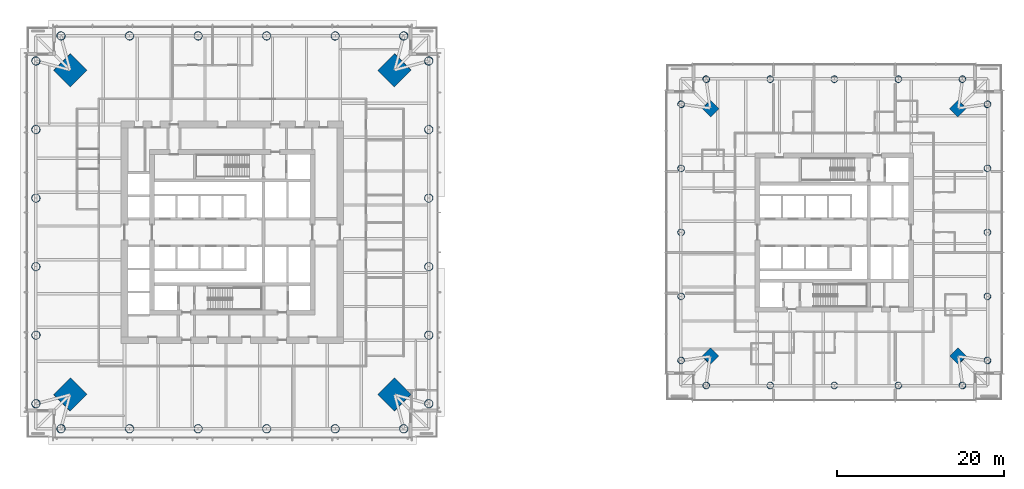
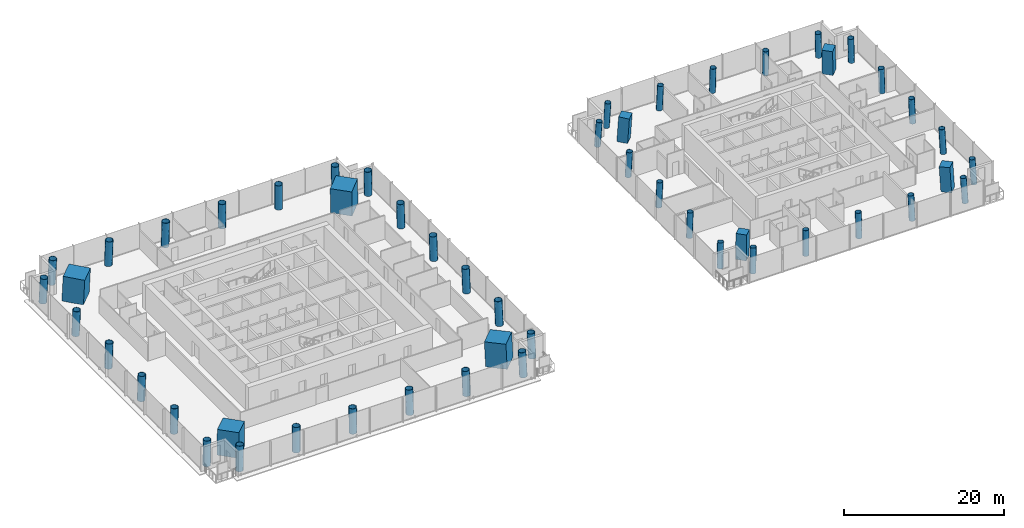
# One storey, part 1 of 26: 52 columns.
"""IFC4 building model written with IfcOpenShell, lengths in metres."""

from ifc_helpers import new_model, si_unit, direction, frame, origin, origin_2d, place, context, subcontext, project, spatial, rectangle, hollow_circle, extrude, material, material_profile, profile_set, type_object, element, save


model = new_model("IFC4")

# Units and contexts
model_context = context("Model", 3, precision=1e-05, world=origin(), true_north=direction((0.0, 1.0)))
body_context = subcontext(model_context, "Body", "Model", "MODEL_VIEW")
ifc_project = project(units=[si_unit("LENGTHUNIT", "METRE"), si_unit("AREAUNIT", "SQUARE_METRE"), si_unit("VOLUMEUNIT", "CUBIC_METRE"), si_unit("PLANEANGLEUNIT", "RADIAN"), si_unit("MASSUNIT", "GRAM", prefix="KILO")], contexts=[model_context])

# Site, building, storey
site_placement = place(None, origin())
site = spatial("IfcSite", under=ifc_project, at=site_placement, CompositionType="ELEMENT")
building_placement = place(site_placement, origin())
building = spatial("IfcBuilding", under=site, at=building_placement, Name="Ostroluk Exchange", CompositionType="ELEMENT")
storey_placement = place(building_placement, frame((0.0, 0.0, 36.199951171875)))
storey = spatial("IfcBuildingStorey", under=building, at=storey_placement, Name="L08", CompositionType="ELEMENT", Elevation=36.199951171875)

# Columns
ifc_material_1 = material(Name="Concrete C50/60", Category="concrete")
ifc_material_profile_1 = material_profile(ifc_material_1, rectangle(XDim=1.39990234375, YDim=1.39990234375, at=origin_2d()), Name="RC 1400x1400")
ifc_profile_set_1 = profile_set([ifc_material_profile_1], Name="Concrete C50/60")
column_type_1 = type_object("IfcColumnType", Name="Mega column RC 1400x1400", PredefinedType="COLUMN", material=ifc_profile_set_1)
for number, where, z_axis, x_axis, name in (
    (1, (131.8447265625, 60.8447265625, 0.0), (-0.042965756413, -0.042965756413, 0.998152236661), (0.707106781187, -0.707106781187, 0.0), "T2 mega column NE"),
    (2, (102.1552734375, 60.8447265625, 0.0), (0.042965756413, -0.042965756413, 0.998152236661), (0.707106781187, 0.707106781187, 0.0), "T2 mega column NW"),
    (3, (102.1552734375, 31.1552734375, 0.0), (0.042965756413, 0.042965756413, 0.998152236661), (-0.707106781187, 0.707106781187, 0.0), "T2 mega column SW"),
    (4, (131.8447265625, 31.1552734375, 0.0), (-0.042965756413, 0.042965756413, 0.998152236661), (-0.707106781187, -0.707106781187, 0.0), "T2 mega column SE"),
):
    element("IfcColumn", number, at=place(storey_placement, frame(where, z_axis=z_axis, x_axis=x_axis)), inside=storey, type_object=column_type_1, Name=name, PredefinedType="COLUMN", context=body_context, shape_type="SweptSolid", body=[
        extrude(rectangle(XDim=1.39990234375, YDim=1.39990234375, at=origin_2d()), origin(), (0.0, 0.0, 1.0), 3.80712890625),
    ])
ifc_material_2 = material(Name="Concrete C50/60", Category="concrete")
ifc_material_profile_2 = material_profile(ifc_material_2, rectangle(XDim=2.800048828125, YDim=2.800048828125, at=origin_2d()), Name="RC 2800x2800")
ifc_profile_set_2 = profile_set([ifc_material_profile_2], Name="Concrete C50/60")
column_type_2 = type_object("IfcColumnType", Name="Mega column RC 2800x2800", PredefinedType="COLUMN", material=ifc_profile_set_2)
for number, where, z_axis, x_axis, name in (
    (5, (64.414306640625, 65.414306640625, 0.0), (-0.031898107953, -0.031898107953, 0.998981992539), (0.707106781187, -0.707106781187, 0.0), "T1 mega column NE"),
    (6, (25.585693359375, 65.414306640625, 0.0), (0.031898107953, -0.031898107953, 0.998981992539), (0.707106781187, 0.707106781187, 0.0), "T1 mega column NW"),
    (7, (25.585693359375, 26.585693359375, 0.0), (0.031898107953, 0.031898107953, 0.998981992539), (-0.707106781187, 0.707106781187, 0.0), "T1 mega column SW"),
    (8, (64.414306640625, 26.585693359375, 0.0), (-0.031898107953, 0.031898107953, 0.998981992539), (-0.707106781187, -0.707106781187, 0.0), "T1 mega column SE"),
):
    element("IfcColumn", number, at=place(storey_placement, frame(where, z_axis=z_axis, x_axis=x_axis)), inside=storey, type_object=column_type_2, Name=name, PredefinedType="COLUMN", context=body_context, shape_type="SweptSolid", body=[
        extrude(rectangle(XDim=2.800048828125, YDim=2.800048828125, at=origin_2d()), origin(), (0.0, 0.0, 1.0), 3.803955078125),
    ])
ifc_material_3 = material(Name="Steel S460", Category="steel")
ifc_material_profile_3 = material_profile(ifc_material_3, hollow_circle(Radius=0.508056640625, WallThickness=0.0400390625, at=origin_2d()), Name="CHS 1016x40")
ifc_profile_set_3 = profile_set([ifc_material_profile_3], Name="Steel S460")
column_type_3 = type_object("IfcColumnType", Name="Perimeter column CHS 1016x40", PredefinedType="COLUMN", material=ifc_profile_set_3)
for number, where, z_axis, x_axis, name in (
    (9, (68.514404296875, 25.485595703125, 0.0), (-0.031962158256, 0.031962158256, 0.998977898093), (-0.707106781187, -0.707106781187, 0.0), "T1 east face column E0"),
    (10, (68.514404296875, 66.514404296875, 0.0), (-0.031962158256, -0.031962158256, 0.998977898093), (0.707106781187, -0.707106781187, 0.0), "T1 east face column E1"),
):
    element("IfcColumn", number, at=place(storey_placement, frame(where, z_axis=z_axis, x_axis=x_axis)), inside=storey, type_object=column_type_3, Name=name, PredefinedType="COLUMN", context=body_context, shape_type="SweptSolid", body=[
        extrude(hollow_circle(Radius=0.508056640625, WallThickness=0.0400390625, at=origin_2d()), origin(), (0.0, 0.0, 1.0), 3.803955078125),
    ])
column_1_placement = place(storey_placement, frame((68.514404296875, 33.69140625, 0.0), z_axis=(-0.031972604108, 0.019196402868, 0.999304383411), x_axis=(-0.514748904804, -0.857340985258, 0.0)))
element("IfcColumn", 11, at=column_1_placement, inside=storey, type_object=column_type_3, Name="T1 east face column I1", PredefinedType="COLUMN", context=body_context, shape_type="SweptSolid", body=[
    extrude(hollow_circle(Radius=0.508056640625, WallThickness=0.0400390625, at=origin_2d()), origin(), (0.0, 0.0, 1.0), 3.802734375),
])
for number, where, z_axis, x_axis, name in (
    (12, (68.514404296875, 41.897216796875, 0.0), (-0.031977850555, 0.00635704258, 0.999468361222), (-0.194979757801, -0.980807266515, 0.0), "T1 east face column I2"),
    (13, (68.514404296875, 50.102783203125, 0.0), (-0.031977850555, -0.00635704258, 0.999468361222), (0.194979757801, -0.980807266515, 0.0), "T1 east face column I3"),
):
    element("IfcColumn", number, at=place(storey_placement, frame(where, z_axis=z_axis, x_axis=x_axis)), inside=storey, type_object=column_type_3, Name=name, PredefinedType="COLUMN", context=body_context, shape_type="SweptSolid", body=[
        extrude(hollow_circle(Radius=0.508056640625, WallThickness=0.0400390625, at=origin_2d()), origin(), (0.0, 0.0, 1.0), 3.802001953125),
    ])
column_2_placement = place(storey_placement, frame((68.514404296875, 58.30859375, 0.0), z_axis=(-0.031972604108, -0.019196402868, 0.999304383411), x_axis=(0.514748904804, -0.857340985258, 0.0)))
element("IfcColumn", 14, at=column_2_placement, inside=storey, type_object=column_type_3, Name="T1 east face column I4", PredefinedType="COLUMN", context=body_context, shape_type="SweptSolid", body=[
    extrude(hollow_circle(Radius=0.508056640625, WallThickness=0.0400390625, at=origin_2d()), origin(), (0.0, 0.0, 1.0), 3.802734375),
])
for number, where, z_axis, x_axis, name in (
    (15, (65.514404296875, 69.514404296875, 0.0), (-0.031962158256, -0.031962158256, 0.998977898093), (0.707106781187, -0.707106781187, 0.0), "T1 north face column E0"),
    (16, (24.485595703125, 69.514404296875, 0.0), (0.031962158256, -0.031962158256, 0.998977898093), (0.707106781187, 0.707106781187, 0.0), "T1 north face column E1"),
):
    element("IfcColumn", number, at=place(storey_placement, frame(where, z_axis=z_axis, x_axis=x_axis)), inside=storey, type_object=column_type_3, Name=name, PredefinedType="COLUMN", context=body_context, shape_type="SweptSolid", body=[
        extrude(hollow_circle(Radius=0.508056640625, WallThickness=0.0400390625, at=origin_2d()), origin(), (0.0, 0.0, 1.0), 3.803955078125),
    ])
column_3_placement = place(storey_placement, frame((57.30859375, 69.514404296875, 0.0), z_axis=(-0.019196402868, -0.031972604108, 0.999304383411), x_axis=(0.857340985258, -0.514748904804, 0.0)))
element("IfcColumn", 17, at=column_3_placement, inside=storey, type_object=column_type_3, Name="T1 north face column I1", PredefinedType="COLUMN", context=body_context, shape_type="SweptSolid", body=[
    extrude(hollow_circle(Radius=0.508056640625, WallThickness=0.0400390625, at=origin_2d()), origin(), (0.0, 0.0, 1.0), 3.802734375),
])
for number, where, z_axis, x_axis, name in (
    (18, (49.102783203125, 69.514404296875, 0.0), (-0.00635704258, -0.031977850555, 0.999468361222), (0.980807266515, -0.194979757801, 0.0), "T1 north face column I2"),
    (19, (40.897216796875, 69.514404296875, 0.0), (0.00635704258, -0.031977850555, 0.999468361222), (0.980807266515, 0.194979757801, 0.0), "T1 north face column I3"),
):
    element("IfcColumn", number, at=place(storey_placement, frame(where, z_axis=z_axis, x_axis=x_axis)), inside=storey, type_object=column_type_3, Name=name, PredefinedType="COLUMN", context=body_context, shape_type="SweptSolid", body=[
        extrude(hollow_circle(Radius=0.508056640625, WallThickness=0.0400390625, at=origin_2d()), origin(), (0.0, 0.0, 1.0), 3.802001953125),
    ])
column_4_placement = place(storey_placement, frame((32.69140625, 69.514404296875, 0.0), z_axis=(0.019196402868, -0.031972604108, 0.999304383411), x_axis=(0.857340985258, 0.514748904804, 0.0)))
element("IfcColumn", 20, at=column_4_placement, inside=storey, type_object=column_type_3, Name="T1 north face column I4", PredefinedType="COLUMN", context=body_context, shape_type="SweptSolid", body=[
    extrude(hollow_circle(Radius=0.508056640625, WallThickness=0.0400390625, at=origin_2d()), origin(), (0.0, 0.0, 1.0), 3.802734375),
])
for number, where, z_axis, x_axis, name in (
    (21, (21.485595703125, 66.514404296875, 0.0), (0.031962158256, -0.031962158256, 0.998977898093), (0.707106781187, 0.707106781187, 0.0), "T1 west face column E0"),
    (22, (21.485595703125, 25.485595703125, 0.0), (0.031962158256, 0.031962158256, 0.998977898093), (-0.707106781187, 0.707106781187, 0.0), "T1 west face column E1"),
):
    element("IfcColumn", number, at=place(storey_placement, frame(where, z_axis=z_axis, x_axis=x_axis)), inside=storey, type_object=column_type_3, Name=name, PredefinedType="COLUMN", context=body_context, shape_type="SweptSolid", body=[
        extrude(hollow_circle(Radius=0.508056640625, WallThickness=0.0400390625, at=origin_2d()), origin(), (0.0, 0.0, 1.0), 3.803955078125),
    ])
column_5_placement = place(storey_placement, frame((21.485595703125, 58.30859375, 0.0), z_axis=(0.031972604108, -0.019196402868, 0.999304383411), x_axis=(0.514748904804, 0.857340985258, 0.0)))
element("IfcColumn", 23, at=column_5_placement, inside=storey, type_object=column_type_3, Name="T1 west face column I1", PredefinedType="COLUMN", context=body_context, shape_type="SweptSolid", body=[
    extrude(hollow_circle(Radius=0.508056640625, WallThickness=0.0400390625, at=origin_2d()), origin(), (0.0, 0.0, 1.0), 3.802734375),
])
for number, where, z_axis, x_axis, name in (
    (24, (21.485595703125, 50.102783203125, 0.0), (0.031977850555, -0.00635704258, 0.999468361222), (0.194979757801, 0.980807266515, 0.0), "T1 west face column I2"),
    (25, (21.485595703125, 41.897216796875, 0.0), (0.031977850555, 0.00635704258, 0.999468361222), (-0.194979757801, 0.980807266515, 0.0), "T1 west face column I3"),
):
    element("IfcColumn", number, at=place(storey_placement, frame(where, z_axis=z_axis, x_axis=x_axis)), inside=storey, type_object=column_type_3, Name=name, PredefinedType="COLUMN", context=body_context, shape_type="SweptSolid", body=[
        extrude(hollow_circle(Radius=0.508056640625, WallThickness=0.0400390625, at=origin_2d()), origin(), (0.0, 0.0, 1.0), 3.802001953125),
    ])
column_6_placement = place(storey_placement, frame((21.485595703125, 33.69140625, 0.0), z_axis=(0.031972604108, 0.019196402868, 0.999304383411), x_axis=(-0.514748904804, 0.857340985258, 0.0)))
element("IfcColumn", 26, at=column_6_placement, inside=storey, type_object=column_type_3, Name="T1 west face column I4", PredefinedType="COLUMN", context=body_context, shape_type="SweptSolid", body=[
    extrude(hollow_circle(Radius=0.508056640625, WallThickness=0.0400390625, at=origin_2d()), origin(), (0.0, 0.0, 1.0), 3.802734375),
])
for number, where, z_axis, x_axis, name in (
    (27, (24.485595703125, 22.485595703125, 0.0), (0.031962158256, 0.031962158256, 0.998977898093), (-0.707106781187, 0.707106781187, 0.0), "T1 south face column E0"),
    (28, (65.514404296875, 22.485595703125, 0.0), (-0.031962158256, 0.031962158256, 0.998977898093), (-0.707106781187, -0.707106781187, 0.0), "T1 south face column E1"),
):
    element("IfcColumn", number, at=place(storey_placement, frame(where, z_axis=z_axis, x_axis=x_axis)), inside=storey, type_object=column_type_3, Name=name, PredefinedType="COLUMN", context=body_context, shape_type="SweptSolid", body=[
        extrude(hollow_circle(Radius=0.508056640625, WallThickness=0.0400390625, at=origin_2d()), origin(), (0.0, 0.0, 1.0), 3.803955078125),
    ])
column_7_placement = place(storey_placement, frame((32.69140625, 22.485595703125, 0.0), z_axis=(0.019196402868, 0.031972604108, 0.999304383411), x_axis=(-0.857340985258, 0.514748904804, 0.0)))
element("IfcColumn", 29, at=column_7_placement, inside=storey, type_object=column_type_3, Name="T1 south face column I1", PredefinedType="COLUMN", context=body_context, shape_type="SweptSolid", body=[
    extrude(hollow_circle(Radius=0.508056640625, WallThickness=0.0400390625, at=origin_2d()), origin(), (0.0, 0.0, 1.0), 3.802734375),
])
for number, where, z_axis, x_axis, name in (
    (30, (40.897216796875, 22.485595703125, 0.0), (0.00635704258, 0.031977850555, 0.999468361222), (-0.980807266515, 0.194979757801, 0.0), "T1 south face column I2"),
    (31, (49.102783203125, 22.485595703125, 0.0), (-0.00635704258, 0.031977850555, 0.999468361222), (-0.980807266515, -0.194979757801, 0.0), "T1 south face column I3"),
):
    element("IfcColumn", number, at=place(storey_placement, frame(where, z_axis=z_axis, x_axis=x_axis)), inside=storey, type_object=column_type_3, Name=name, PredefinedType="COLUMN", context=body_context, shape_type="SweptSolid", body=[
        extrude(hollow_circle(Radius=0.508056640625, WallThickness=0.0400390625, at=origin_2d()), origin(), (0.0, 0.0, 1.0), 3.802001953125),
    ])
column_8_placement = place(storey_placement, frame((57.30859375, 22.485595703125, 0.0), z_axis=(-0.019196402868, 0.031972604108, 0.999304383411), x_axis=(-0.857340985258, -0.514748904804, 0.0)))
element("IfcColumn", 32, at=column_8_placement, inside=storey, type_object=column_type_3, Name="T1 south face column I4", PredefinedType="COLUMN", context=body_context, shape_type="SweptSolid", body=[
    extrude(hollow_circle(Radius=0.508056640625, WallThickness=0.0400390625, at=origin_2d()), origin(), (0.0, 0.0, 1.0), 3.802734375),
])
ifc_material_4 = material(Name="Steel S460", Category="steel")
ifc_material_profile_4 = material_profile(ifc_material_4, hollow_circle(Radius=0.406494140625, WallThickness=0.030029296875, at=origin_2d()), Name="CHS 813x30")
ifc_profile_set_4 = profile_set([ifc_material_profile_4], Name="Steel S460")
column_type_4 = type_object("IfcColumnType", Name="Perimeter column CHS 813x30", PredefinedType="COLUMN", material=ifc_profile_set_4)
for number, where, z_axis, x_axis, name in (
    (33, (135.3447265625, 30.6552734375, 0.0), (-0.042965756413, 0.042965756413, 0.998152236661), (-0.707106781187, -0.707106781187, 0.0), "T2 east face column E0"),
    (34, (135.3447265625, 61.3447265625, 0.0), (-0.042965756413, -0.042965756413, 0.998152236661), (0.707106781187, -0.707106781187, 0.0), "T2 east face column E1"),
):
    element("IfcColumn", number, at=place(storey_placement, frame(where, z_axis=z_axis, x_axis=x_axis)), inside=storey, type_object=column_type_4, Name=name, PredefinedType="COLUMN", context=body_context, shape_type="SweptSolid", body=[
        extrude(hollow_circle(Radius=0.406494140625, WallThickness=0.030029296875, at=origin_2d()), origin(), (0.0, 0.0, 1.0), 3.80712890625),
    ])
column_9_placement = place(storey_placement, frame((135.3447265625, 38.32763671875, 0.0), z_axis=(-0.042995531285, 0.021497765643, 0.998843946952), x_axis=(-0.4472135955, -0.894427191, 0.0)))
element("IfcColumn", 35, at=column_9_placement, inside=storey, type_object=column_type_4, Name="T2 east face column I1", PredefinedType="COLUMN", context=body_context, shape_type="SweptSolid", body=[
    extrude(hollow_circle(Radius=0.406494140625, WallThickness=0.030029296875, at=origin_2d()), origin(), (0.0, 0.0, 1.0), 3.804443359375),
])
column_10_placement = place(storey_placement, frame((135.3447265625, 46.0, 0.0), z_axis=(-0.043005470007, 0.0, 0.999074836811), x_axis=(0.0, -1.0, 0.0)))
element("IfcColumn", 36, at=column_10_placement, inside=storey, type_object=column_type_4, Name="T2 east face column I2", PredefinedType="COLUMN", context=body_context, shape_type="SweptSolid", body=[
    extrude(hollow_circle(Radius=0.406494140625, WallThickness=0.030029296875, at=origin_2d()), origin(), (0.0, 0.0, 1.0), 3.803466796875),
])
column_11_placement = place(storey_placement, frame((135.3447265625, 53.67236328125, 0.0), z_axis=(-0.042995531285, -0.021497765643, 0.998843946952), x_axis=(0.4472135955, -0.894427191, 0.0)))
element("IfcColumn", 37, at=column_11_placement, inside=storey, type_object=column_type_4, Name="T2 east face column I3", PredefinedType="COLUMN", context=body_context, shape_type="SweptSolid", body=[
    extrude(hollow_circle(Radius=0.406494140625, WallThickness=0.030029296875, at=origin_2d()), origin(), (0.0, 0.0, 1.0), 3.804443359375),
])
for number, where, z_axis, x_axis, name in (
    (38, (132.3447265625, 64.3447265625, 0.0), (-0.042965756413, -0.042965756413, 0.998152236661), (0.707106781187, -0.707106781187, 0.0), "T2 north face column E0"),
    (39, (101.6552734375, 64.3447265625, 0.0), (0.042965756413, -0.042965756413, 0.998152236661), (0.707106781187, 0.707106781187, 0.0), "T2 north face column E1"),
):
    element("IfcColumn", number, at=place(storey_placement, frame(where, z_axis=z_axis, x_axis=x_axis)), inside=storey, type_object=column_type_4, Name=name, PredefinedType="COLUMN", context=body_context, shape_type="SweptSolid", body=[
        extrude(hollow_circle(Radius=0.406494140625, WallThickness=0.030029296875, at=origin_2d()), origin(), (0.0, 0.0, 1.0), 3.80712890625),
    ])
column_12_placement = place(storey_placement, frame((124.67236328125, 64.3447265625, 0.0), z_axis=(-0.021497765643, -0.042995531285, 0.998843946952), x_axis=(0.894427191, -0.4472135955, 0.0)))
element("IfcColumn", 40, at=column_12_placement, inside=storey, type_object=column_type_4, Name="T2 north face column I1", PredefinedType="COLUMN", context=body_context, shape_type="SweptSolid", body=[
    extrude(hollow_circle(Radius=0.406494140625, WallThickness=0.030029296875, at=origin_2d()), origin(), (0.0, 0.0, 1.0), 3.804443359375),
])
column_13_placement = place(storey_placement, frame((117.0, 64.3447265625, 0.0), z_axis=(0.0, -0.043005470007, 0.999074836811), x_axis=(1.0, 0.0, 0.0)))
element("IfcColumn", 41, at=column_13_placement, inside=storey, type_object=column_type_4, Name="T2 north face column I2", PredefinedType="COLUMN", context=body_context, shape_type="SweptSolid", body=[
    extrude(hollow_circle(Radius=0.406494140625, WallThickness=0.030029296875, at=origin_2d()), origin(), (0.0, 0.0, 1.0), 3.803466796875),
])
column_14_placement = place(storey_placement, frame((109.32763671875, 64.3447265625, 0.0), z_axis=(0.021497765643, -0.042995531285, 0.998843946952), x_axis=(0.894427191, 0.4472135955, 0.0)))
element("IfcColumn", 42, at=column_14_placement, inside=storey, type_object=column_type_4, Name="T2 north face column I3", PredefinedType="COLUMN", context=body_context, shape_type="SweptSolid", body=[
    extrude(hollow_circle(Radius=0.406494140625, WallThickness=0.030029296875, at=origin_2d()), origin(), (0.0, 0.0, 1.0), 3.804443359375),
])
for number, where, z_axis, x_axis, name in (
    (43, (98.6552734375, 61.3447265625, 0.0), (0.042965756413, -0.042965756413, 0.998152236661), (0.707106781187, 0.707106781187, 0.0), "T2 west face column E0"),
    (44, (98.6552734375, 30.6552734375, 0.0), (0.042965756413, 0.042965756413, 0.998152236661), (-0.707106781187, 0.707106781187, 0.0), "T2 west face column E1"),
):
    element("IfcColumn", number, at=place(storey_placement, frame(where, z_axis=z_axis, x_axis=x_axis)), inside=storey, type_object=column_type_4, Name=name, PredefinedType="COLUMN", context=body_context, shape_type="SweptSolid", body=[
        extrude(hollow_circle(Radius=0.406494140625, WallThickness=0.030029296875, at=origin_2d()), origin(), (0.0, 0.0, 1.0), 3.80712890625),
    ])
column_15_placement = place(storey_placement, frame((98.6552734375, 53.67236328125, 0.0), z_axis=(0.042995531285, -0.021497765643, 0.998843946952), x_axis=(0.4472135955, 0.894427191, 0.0)))
element("IfcColumn", 45, at=column_15_placement, inside=storey, type_object=column_type_4, Name="T2 west face column I1", PredefinedType="COLUMN", context=body_context, shape_type="SweptSolid", body=[
    extrude(hollow_circle(Radius=0.406494140625, WallThickness=0.030029296875, at=origin_2d()), origin(), (0.0, 0.0, 1.0), 3.804443359375),
])
column_16_placement = place(storey_placement, frame((98.6552734375, 46.0, 0.0), z_axis=(0.043005470007, 0.0, 0.999074836811), x_axis=(0.0, 1.0, 0.0)))
element("IfcColumn", 46, at=column_16_placement, inside=storey, type_object=column_type_4, Name="T2 west face column I2", PredefinedType="COLUMN", context=body_context, shape_type="SweptSolid", body=[
    extrude(hollow_circle(Radius=0.406494140625, WallThickness=0.030029296875, at=origin_2d()), origin(), (0.0, 0.0, 1.0), 3.803466796875),
])
column_17_placement = place(storey_placement, frame((98.6552734375, 38.32763671875, 0.0), z_axis=(0.042995531285, 0.021497765643, 0.998843946952), x_axis=(-0.4472135955, 0.894427191, 0.0)))
element("IfcColumn", 47, at=column_17_placement, inside=storey, type_object=column_type_4, Name="T2 west face column I3", PredefinedType="COLUMN", context=body_context, shape_type="SweptSolid", body=[
    extrude(hollow_circle(Radius=0.406494140625, WallThickness=0.030029296875, at=origin_2d()), origin(), (0.0, 0.0, 1.0), 3.804443359375),
])
for number, where, z_axis, x_axis, name in (
    (48, (101.6552734375, 27.6552734375, 0.0), (0.042965756413, 0.042965756413, 0.998152236661), (-0.707106781187, 0.707106781187, 0.0), "T2 south face column E0"),
    (49, (132.3447265625, 27.6552734375, 0.0), (-0.042965756413, 0.042965756413, 0.998152236661), (-0.707106781187, -0.707106781187, 0.0), "T2 south face column E1"),
):
    element("IfcColumn", number, at=place(storey_placement, frame(where, z_axis=z_axis, x_axis=x_axis)), inside=storey, type_object=column_type_4, Name=name, PredefinedType="COLUMN", context=body_context, shape_type="SweptSolid", body=[
        extrude(hollow_circle(Radius=0.406494140625, WallThickness=0.030029296875, at=origin_2d()), origin(), (0.0, 0.0, 1.0), 3.80712890625),
    ])
column_18_placement = place(storey_placement, frame((109.32763671875, 27.6552734375, 0.0), z_axis=(0.021497765643, 0.042995531285, 0.998843946952), x_axis=(-0.894427191, 0.4472135955, 0.0)))
element("IfcColumn", 50, at=column_18_placement, inside=storey, type_object=column_type_4, Name="T2 south face column I1", PredefinedType="COLUMN", context=body_context, shape_type="SweptSolid", body=[
    extrude(hollow_circle(Radius=0.406494140625, WallThickness=0.030029296875, at=origin_2d()), origin(), (0.0, 0.0, 1.0), 3.804443359375),
])
column_19_placement = place(storey_placement, frame((117.0, 27.6552734375, 0.0), z_axis=(0.0, 0.043005470007, 0.999074836811), x_axis=(-1.0, 0.0, 0.0)))
element("IfcColumn", 51, at=column_19_placement, inside=storey, type_object=column_type_4, Name="T2 south face column I2", PredefinedType="COLUMN", context=body_context, shape_type="SweptSolid", body=[
    extrude(hollow_circle(Radius=0.406494140625, WallThickness=0.030029296875, at=origin_2d()), origin(), (0.0, 0.0, 1.0), 3.803466796875),
])
column_20_placement = place(storey_placement, frame((124.67236328125, 27.6552734375, 0.0), z_axis=(-0.021497765643, 0.042995531285, 0.998843946952), x_axis=(-0.894427191, -0.4472135955, 0.0)))
element("IfcColumn", 52, at=column_20_placement, inside=storey, type_object=column_type_4, Name="T2 south face column I3", PredefinedType="COLUMN", context=body_context, shape_type="SweptSolid", body=[
    extrude(hollow_circle(Radius=0.406494140625, WallThickness=0.030029296875, at=origin_2d()), origin(), (0.0, 0.0, 1.0), 3.804443359375),
])

save(model, "model.ifc")
